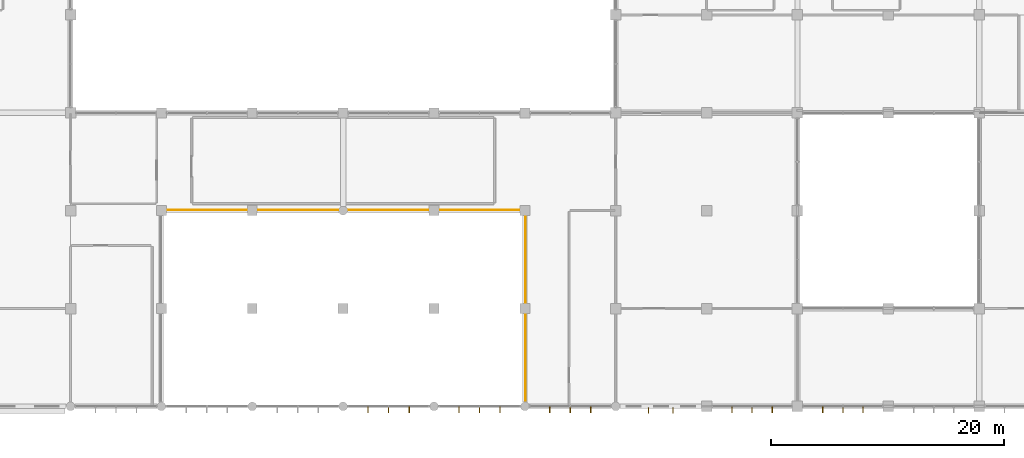
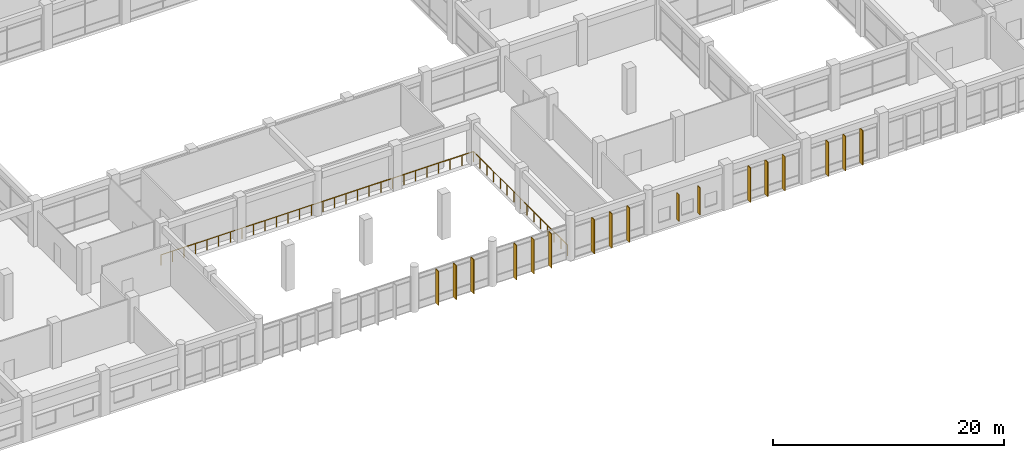
# One storey, part 70 of 79: 17 shading devices, 1 railing.
"""IFC4 building model written with IfcOpenShell, lengths in metres."""

from ifc_helpers import new_model, si_unit, direction, frame, origin, origin_2d, place, context, subcontext, project, spatial, rectangle, circle, extrude, material, layer, layer_set, type_object, element, save


model = new_model("IFC4")

# Units and contexts
model_context = context("Model", 3, precision=1e-05, world=origin(), true_north=direction((0.0, 1.0)))
body_context = subcontext(model_context, "Body", "Model", "MODEL_VIEW")
ifc_project = project(units=[si_unit("LENGTHUNIT", "METRE"), si_unit("AREAUNIT", "SQUARE_METRE"), si_unit("VOLUMEUNIT", "CUBIC_METRE"), si_unit("PLANEANGLEUNIT", "RADIAN"), si_unit("MASSUNIT", "GRAM", prefix="KILO"), si_unit("THERMODYNAMICTEMPERATUREUNIT", "KELVIN"), si_unit("POWERUNIT", "WATT")], contexts=[model_context])

# Site, building, storey
site_placement = place(None, origin())
site = spatial("IfcSite", under=ifc_project, at=site_placement, CompositionType="ELEMENT")
building_placement = place(site_placement, origin())
building = spatial("IfcBuilding", under=site, at=building_placement, Name="Srebrne Nadtorze General Hospital", CompositionType="ELEMENT")
storey_placement = place(building_placement, frame((0.0, 0.0, 4.800048828125)))
storey = spatial("IfcBuildingStorey", under=building, at=storey_placement, Name="L01", CompositionType="ELEMENT", Elevation=4.800048828125)

# Shading devices
ifc_material_1 = material(Name="Anodised Aluminium", Category="aluminium")
ifc_layer = layer(ifc_material_1, 0.070068359375)
ifc_layer_set = layer_set([ifc_layer], Name="Anodised Aluminium")
shading_device_type = type_object("IfcShadingDeviceType", Name="Koushi vertical brise-soleil fin", PredefinedType="SHUTTER", material=ifc_layer_set)
for number, where, z_axis, x_axis, name in (
    (1, (80.137451171875, -0.300048828125, 0.06005859375), (0.0, 0.0, 1.0), (1.0, 0.0, 0.0), "Koushi vertical brise-soleil fin LV-063"),
    (2, (81.89990234375, -0.300048828125, 0.06005859375), (0.0, 0.0, 1.0), (1.0, 0.0, 0.0), "Koushi vertical brise-soleil fin LV-064"),
    (3, (83.66259765625, -0.300048828125, 0.06005859375), (0.0, 0.0, 1.0), (1.0, 0.0, 0.0), "Koushi vertical brise-soleil fin LV-065"),
    (4, (87.9375, -0.300048828125, 0.06005859375), (0.0, 0.0, 1.0), (1.0, 0.0, 0.0), "Koushi vertical brise-soleil fin LV-066"),
    (5, (89.699951171875, -0.300048828125, 0.06005859375), (0.0, 0.0, 1.0), (1.0, 0.0, 0.0), "Koushi vertical brise-soleil fin LV-067"),
    (6, (91.46240234375, -0.300048828125, 0.06005859375), (0.0, 0.0, 1.0), (1.0, 0.0, 0.0), "Koushi vertical brise-soleil fin LV-068"),
    (7, (95.737548828125, -0.300048828125, 0.06005859375), (0.0, 0.0, 1.0), (1.0, 0.0, 0.0), "Koushi vertical brise-soleil fin LV-069"),
    (8, (97.5, -0.300048828125, 0.06005859375), (0.0, 0.0, 1.0), (1.0, 0.0, 0.0), "Koushi vertical brise-soleil fin LV-070"),
    (9, (99.262451171875, -0.300048828125, 0.06005859375), (0.0, 0.0, 1.0), (1.0, 0.0, 0.0), "Koushi vertical brise-soleil fin LV-071"),
):
    element("IfcShadingDevice", number, at=place(storey_placement, frame(where, z_axis=z_axis, x_axis=x_axis)), inside=storey, type_object=shading_device_type, Name=name, PredefinedType="SHUTTER", context=body_context, shape_type="SweptSolid", body=[
        extrude(rectangle(XDim=0.070068359375, YDim=0.52001953125, at=origin_2d()), origin(), (0.0, 0.0, 1.0), 3.6298828125),
    ])
for number, where, z_axis, x_axis, name in (
    (10, (104.21630859375, -0.35009765625, 0.52490234375), (0.0, 0.0, 1.0), (1.0, 0.0, 0.0), "Clinic koushi vertical fin LV-072"),
    (11, (106.308837890625, -0.35009765625, 0.52490234375), (0.0, 0.0, 1.0), (1.0, 0.0, 0.0), "Clinic koushi vertical fin LV-073"),
):
    element("IfcShadingDevice", number, at=place(storey_placement, frame(where, z_axis=z_axis, x_axis=x_axis)), inside=storey, type_object=shading_device_type, Name=name, PredefinedType="SHUTTER", context=body_context, shape_type="SweptSolid", body=[
        extrude(rectangle(XDim=0.070068359375, YDim=0.43994140625, at=origin_2d()), origin(), (0.0, 0.0, 1.0), 2.85009765625),
    ])
for number, where, z_axis, x_axis, name in (
    (12, (111.375, -0.300048828125, 0.06005859375), (0.0, 0.0, 1.0), (1.0, 0.0, 0.0), "Koushi vertical brise-soleil fin LV-074"),
    (13, (113.10009765625, -0.300048828125, 0.06005859375), (0.0, 0.0, 1.0), (1.0, 0.0, 0.0), "Koushi vertical brise-soleil fin LV-075"),
    (14, (114.824951171875, -0.300048828125, 0.06005859375), (0.0, 0.0, 1.0), (1.0, 0.0, 0.0), "Koushi vertical brise-soleil fin LV-076"),
    (15, (119.175048828125, -0.300048828125, 0.06005859375), (0.0, 0.0, 1.0), (1.0, 0.0, 0.0), "Koushi vertical brise-soleil fin LV-077"),
    (16, (120.89990234375, -0.300048828125, 0.06005859375), (0.0, 0.0, 1.0), (1.0, 0.0, 0.0), "Koushi vertical brise-soleil fin LV-078"),
    (17, (122.625, -0.300048828125, 0.06005859375), (0.0, 0.0, 1.0), (1.0, 0.0, 0.0), "Koushi vertical brise-soleil fin LV-079"),
):
    element("IfcShadingDevice", number, at=place(storey_placement, frame(where, z_axis=z_axis, x_axis=x_axis)), inside=storey, type_object=shading_device_type, Name=name, PredefinedType="SHUTTER", context=body_context, shape_type="SweptSolid", body=[
        extrude(rectangle(XDim=0.070068359375, YDim=0.52001953125, at=origin_2d()), origin(), (0.0, 0.0, 1.0), 3.6298828125),
    ])

# Railing
ifc_material_2 = material(Name="Stainless Steel 316", Category="steel")
railing_type = type_object("IfcRailingType", Name="Perimeter safety guard 1120", PredefinedType="BALUSTRADE", material=ifc_material_2)
railing_placement = place(storey_placement, frame((62.35009765625, 16.85009765625, 0.0)))
element("IfcRailing", 18, at=railing_placement, inside=storey, type_object=railing_type, Name="Atrium gallery guard E GR-L01-005", PredefinedType="BALUSTRADE", context=body_context, shape_type="SweptSolid", body=[
    extrude(circle(Radius=0.02392578125, at=origin_2d()), frame((0.0, 0.0, 1.09619140625), z_axis=(1.0, 0.0, 0.0), x_axis=(0.0, 1.0, 0.0)), (0.0, 0.0, 1.0), 31.2998046875),
    extrude(circle(Radius=0.02392578125, at=origin_2d()), frame((31.2998046875, 0.0, 1.09619140625), z_axis=(0.0, -1.0, 0.0), x_axis=(1.0, 0.0, 0.0)), (0.0, 0.0, 1.0), 16.35009765625),
    extrude(circle(Radius=0.02099609375, at=origin_2d()), origin(), (0.0, 0.0, 1.0), 1.072021484375),
    extrude(circle(Radius=0.02099609375, at=origin_2d()), frame((1.1591796875, 0.0, 0.0)), (0.0, 0.0, 1.0), 1.072021484375),
    extrude(circle(Radius=0.02099609375, at=origin_2d()), frame((2.318603515625, 0.0, 0.0)), (0.0, 0.0, 1.0), 1.072021484375),
    extrude(circle(Radius=0.02099609375, at=origin_2d()), frame((3.477783203125, 0.0, 0.0)), (0.0, 0.0, 1.0), 1.072021484375),
    extrude(circle(Radius=0.02099609375, at=origin_2d()), frame((4.636962890625, 0.0, 0.0)), (0.0, 0.0, 1.0), 1.072021484375),
    extrude(circle(Radius=0.02099609375, at=origin_2d()), frame((5.796142578125, 0.0, 0.0)), (0.0, 0.0, 1.0), 1.072021484375),
    extrude(circle(Radius=0.02099609375, at=origin_2d()), frame((6.95556640625, 0.0, 0.0)), (0.0, 0.0, 1.0), 1.072021484375),
    extrude(circle(Radius=0.02099609375, at=origin_2d()), frame((8.11474609375, 0.0, 0.0)), (0.0, 0.0, 1.0), 1.072021484375),
    extrude(circle(Radius=0.02099609375, at=origin_2d()), frame((9.27392578125, 0.0, 0.0)), (0.0, 0.0, 1.0), 1.072021484375),
    extrude(circle(Radius=0.02099609375, at=origin_2d()), frame((10.433349609375, 0.0, 0.0)), (0.0, 0.0, 1.0), 1.072021484375),
    extrude(circle(Radius=0.02099609375, at=origin_2d()), frame((11.592529296875, 0.0, 0.0)), (0.0, 0.0, 1.0), 1.072021484375),
    extrude(circle(Radius=0.02099609375, at=origin_2d()), frame((12.751708984375, 0.0, 0.0)), (0.0, 0.0, 1.0), 1.072021484375),
    extrude(circle(Radius=0.02099609375, at=origin_2d()), frame((13.9111328125, 0.0, 0.0)), (0.0, 0.0, 1.0), 1.072021484375),
    extrude(circle(Radius=0.02099609375, at=origin_2d()), frame((15.0703125, 0.0, 0.0)), (0.0, 0.0, 1.0), 1.072021484375),
    extrude(circle(Radius=0.02099609375, at=origin_2d()), frame((16.2294921875, 0.0, 0.0)), (0.0, 0.0, 1.0), 1.072021484375),
    extrude(circle(Radius=0.02099609375, at=origin_2d()), frame((17.388671875, 0.0, 0.0)), (0.0, 0.0, 1.0), 1.072021484375),
    extrude(circle(Radius=0.02099609375, at=origin_2d()), frame((18.548095703125, 0.0, 0.0)), (0.0, 0.0, 1.0), 1.072021484375),
    extrude(circle(Radius=0.02099609375, at=origin_2d()), frame((19.707275390625, 0.0, 0.0)), (0.0, 0.0, 1.0), 1.072021484375),
    extrude(circle(Radius=0.02099609375, at=origin_2d()), frame((20.866455078125, 0.0, 0.0)), (0.0, 0.0, 1.0), 1.072021484375),
    extrude(circle(Radius=0.02099609375, at=origin_2d()), frame((22.02587890625, 0.0, 0.0)), (0.0, 0.0, 1.0), 1.072021484375),
    extrude(circle(Radius=0.02099609375, at=origin_2d()), frame((23.18505859375, 0.0, 0.0)), (0.0, 0.0, 1.0), 1.072021484375),
    extrude(circle(Radius=0.02099609375, at=origin_2d()), frame((24.34423828125, 0.0, 0.0)), (0.0, 0.0, 1.0), 1.072021484375),
    extrude(circle(Radius=0.02099609375, at=origin_2d()), frame((25.503662109375, 0.0, 0.0)), (0.0, 0.0, 1.0), 1.072021484375),
    extrude(circle(Radius=0.02099609375, at=origin_2d()), frame((26.662841796875, 0.0, 0.0)), (0.0, 0.0, 1.0), 1.072021484375),
    extrude(circle(Radius=0.02099609375, at=origin_2d()), frame((27.822021484375, 0.0, 0.0)), (0.0, 0.0, 1.0), 1.072021484375),
    extrude(circle(Radius=0.02099609375, at=origin_2d()), frame((28.981201171875, 0.0, 0.0)), (0.0, 0.0, 1.0), 1.072021484375),
    extrude(circle(Radius=0.02099609375, at=origin_2d()), frame((30.140625, 0.0, 0.0)), (0.0, 0.0, 1.0), 1.072021484375),
    extrude(circle(Radius=0.02099609375, at=origin_2d()), frame((31.2998046875, 0.0, 0.0)), (0.0, 0.0, 1.0), 1.072021484375),
    extrude(circle(Radius=0.02099609375, at=origin_2d()), frame((31.2998046875, -1.16796875, 0.0)), (0.0, 0.0, 1.0), 1.072021484375),
    extrude(circle(Radius=0.02099609375, at=origin_2d()), frame((31.2998046875, -2.335693359375, 0.0)), (0.0, 0.0, 1.0), 1.072021484375),
    extrude(circle(Radius=0.02099609375, at=origin_2d()), frame((31.2998046875, -3.503662109375, 0.0)), (0.0, 0.0, 1.0), 1.072021484375),
    extrude(circle(Radius=0.02099609375, at=origin_2d()), frame((31.2998046875, -4.67138671875, 0.0)), (0.0, 0.0, 1.0), 1.072021484375),
    extrude(circle(Radius=0.02099609375, at=origin_2d()), frame((31.2998046875, -5.83935546875, 0.0)), (0.0, 0.0, 1.0), 1.072021484375),
    extrude(circle(Radius=0.02099609375, at=origin_2d()), frame((31.2998046875, -7.007080078125, 0.0)), (0.0, 0.0, 1.0), 1.072021484375),
    extrude(circle(Radius=0.02099609375, at=origin_2d()), frame((31.2998046875, -8.175048828125, 0.0)), (0.0, 0.0, 1.0), 1.072021484375),
    extrude(circle(Radius=0.02099609375, at=origin_2d()), frame((31.2998046875, -9.343017578125, 0.0)), (0.0, 0.0, 1.0), 1.072021484375),
    extrude(circle(Radius=0.02099609375, at=origin_2d()), frame((31.2998046875, -10.5107421875, 0.0)), (0.0, 0.0, 1.0), 1.072021484375),
    extrude(circle(Radius=0.02099609375, at=origin_2d()), frame((31.2998046875, -11.6787109375, 0.0)), (0.0, 0.0, 1.0), 1.072021484375),
    extrude(circle(Radius=0.02099609375, at=origin_2d()), frame((31.2998046875, -12.846435546875, 0.0)), (0.0, 0.0, 1.0), 1.072021484375),
    extrude(circle(Radius=0.02099609375, at=origin_2d()), frame((31.2998046875, -14.014404296875, 0.0)), (0.0, 0.0, 1.0), 1.072021484375),
    extrude(circle(Radius=0.02099609375, at=origin_2d()), frame((31.2998046875, -15.18212890625, 0.0)), (0.0, 0.0, 1.0), 1.072021484375),
    extrude(circle(Radius=0.02099609375, at=origin_2d()), frame((31.2998046875, -16.35009765625, 0.0)), (0.0, 0.0, 1.0), 1.072021484375),
])

save(model, "model.ifc")
